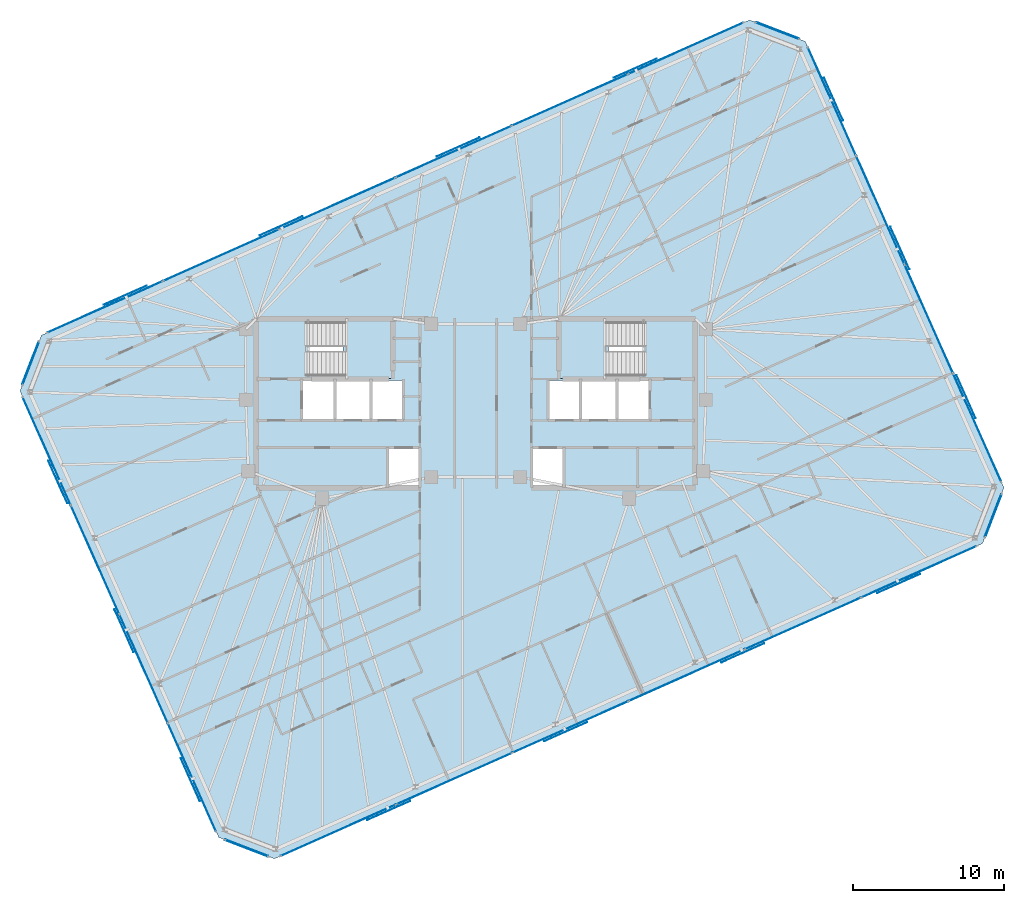
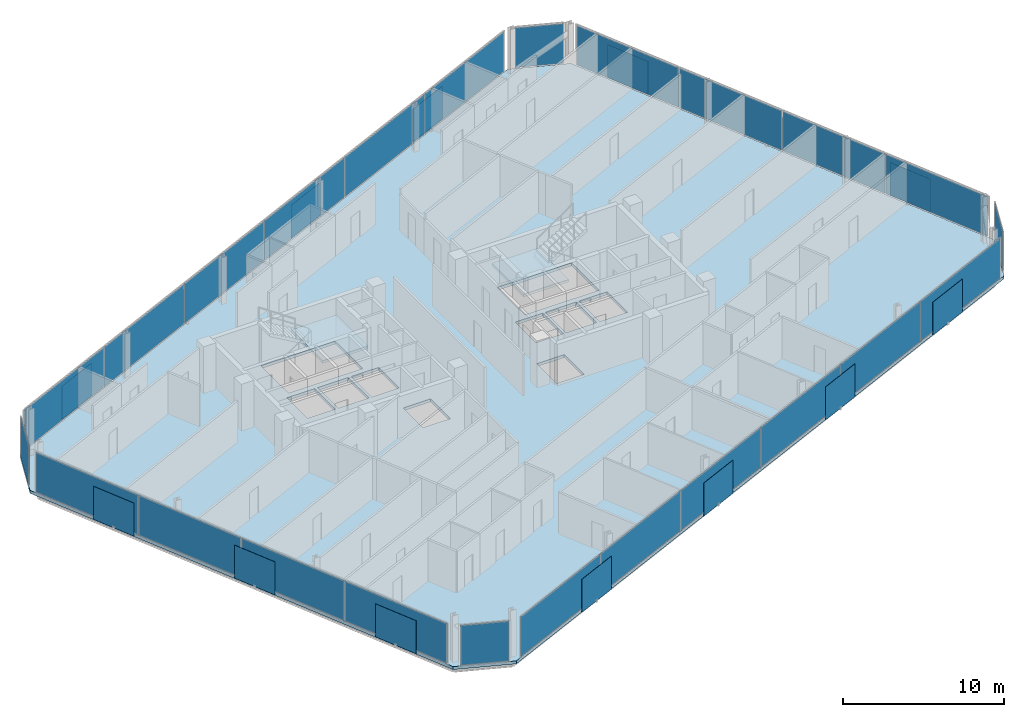
# One storey, part 12 of 19: 38 plates, 3 slabs, 10 elements without a shape of their own.
"""IFC4 building model written with IfcOpenShell, lengths in metres."""

from ifc_helpers import new_model, si_unit, direction, frame, origin, origin_2d, place, context, subcontext, project, spatial, polyline, rectangle, outline, extrude, material, layer, layer_set, type_object, element, aggregate, save


model = new_model("IFC4")

# Units and contexts
model_context = context("Model", 3, precision=1e-05, world=origin(), true_north=direction((0.0, 1.0)))
body_context = subcontext(model_context, "Body", "Model", "MODEL_VIEW")
ifc_project = project(units=[si_unit("LENGTHUNIT", "METRE"), si_unit("AREAUNIT", "SQUARE_METRE"), si_unit("VOLUMEUNIT", "CUBIC_METRE"), si_unit("PLANEANGLEUNIT", "RADIAN"), si_unit("MASSUNIT", "GRAM", prefix="KILO")], contexts=[model_context])

# Site, building, storey
site_placement = place(None, origin())
site = spatial("IfcSite", under=ifc_project, at=site_placement, CompositionType="ELEMENT")
building_placement = place(site_placement, origin())
building = spatial("IfcBuilding", under=site, at=building_placement, Name="Menara Jurai Vektor", CompositionType="ELEMENT")
storey_placement = place(building_placement, frame((0.0, 0.0, 302.0)))
storey = spatial("IfcBuildingStorey", under=building, at=storey_placement, Name="L81", CompositionType="ELEMENT", Elevation=302.0)

# Curtain wall, plates
ifc_material_1 = material(Name="Anodised Pale Aluminium & Low-E Double Glazing", Category="aluminium")
curtain_wall_type = type_object("IfcCurtainWallType", Name="CW-BLK5", PredefinedType="NOTDEFINED", material=ifc_material_1)
curtain_wall_1_placement = place(storey_placement, origin())
curtain_wall_1 = element("IfcCurtainWall", 1, at=curtain_wall_1_placement, inside=storey, type_object=curtain_wall_type, Name="Unitised Curtain Wall L81 F01", PredefinedType="NOTDEFINED")
ifc_material_2 = material(Name="Low-E Solar-Control Double Glazed Unit", Category="glass")
ifc_layer_1 = layer(ifc_material_2, 0.028076171875)
ifc_layer_set_1 = layer_set([ifc_layer_1], Name="Low-E Solar-Control Double Glazed Unit")
plate_type_1 = type_object("IfcPlateType", Name="CW-BLK5-PNL", PredefinedType="CURTAIN_PANEL", material=ifc_layer_set_1)
plate_1_placement = place(storey_placement, frame((-9.130615234375, -28.331787109375, 0.074951171875), z_axis=(0.0, 0.0, 1.0), x_axis=(0.913545967158, 0.406735498684, 0.0)))
plate_1 = element("IfcPlate", 2, at=plate_1_placement, type_object=plate_type_1, Name="CW-05 panel 1.1", PredefinedType="CURTAIN_PANEL", context=body_context, shape_type="SweptSolid", body=[
    extrude(rectangle(XDim=8.327392578125, YDim=0.028076171875, at=origin_2d()), origin(), (0.0, 0.0, 1.0), 2.9951171875),
])
plate_2_placement = place(storey_placement, frame((-1.4375, -24.90673828125, 0.074951171875), z_axis=(0.0, 0.0, 1.0), x_axis=(0.913545967158, 0.406735498684, 0.0)))
plate_2 = element("IfcPlate", 3, at=plate_2_placement, type_object=plate_type_1, Name="CW-05 panel 2.1", PredefinedType="CURTAIN_PANEL", context=body_context, shape_type="SweptSolid", body=[
    extrude(rectangle(XDim=8.364990234375, YDim=0.028076171875, at=origin_2d()), origin(), (0.0, 0.0, 1.0), 2.9951171875),
])
plate_3_placement = place(storey_placement, frame((6.27294921875, -21.473876953125, 0.074951171875), z_axis=(0.0, 0.0, 1.0), x_axis=(0.913545967158, 0.406735498684, 0.0)))
plate_3 = element("IfcPlate", 4, at=plate_3_placement, type_object=plate_type_1, Name="CW-05 panel 3.1", PredefinedType="CURTAIN_PANEL", context=body_context, shape_type="SweptSolid", body=[
    extrude(rectangle(XDim=8.364990234375, YDim=0.028076171875, at=origin_2d()), origin(), (0.0, 0.0, 1.0), 2.9951171875),
])
plate_4_placement = place(storey_placement, frame((13.983154296875, -18.041015625, 0.074951171875), z_axis=(0.0, 0.0, 1.0), x_axis=(0.913545967158, 0.406735498684, 0.0)))
plate_4 = element("IfcPlate", 5, at=plate_4_placement, type_object=plate_type_1, Name="CW-05 panel 4.1", PredefinedType="CURTAIN_PANEL", context=body_context, shape_type="SweptSolid", body=[
    extrude(rectangle(XDim=8.364990234375, YDim=0.028076171875, at=origin_2d()), origin(), (0.0, 0.0, 1.0), 2.9951171875),
])
plate_5_placement = place(storey_placement, frame((21.693603515625, -14.608154296875, 0.074951171875), z_axis=(0.0, 0.0, 1.0), x_axis=(0.913545967158, 0.406735498684, 0.0)))
plate_5 = element("IfcPlate", 6, at=plate_5_placement, type_object=plate_type_1, Name="CW-05 panel 5.1", PredefinedType="CURTAIN_PANEL", context=body_context, shape_type="SweptSolid", body=[
    extrude(rectangle(XDim=8.364990234375, YDim=0.028076171875, at=origin_2d()), origin(), (0.0, 0.0, 1.0), 2.9951171875),
])
plate_6_placement = place(storey_placement, frame((29.38671875, -11.182861328125, 0.074951171875), z_axis=(0.0, 0.0, 1.0), x_axis=(0.913545967158, 0.406735498684, 0.0)))
plate_6 = element("IfcPlate", 7, at=plate_6_placement, type_object=plate_type_1, Name="CW-05 panel 6.1", PredefinedType="CURTAIN_PANEL", context=body_context, shape_type="SweptSolid", body=[
    extrude(rectangle(XDim=8.327392578125, YDim=0.028076171875, at=origin_2d()), origin(), (0.0, 0.0, 1.0), 2.9951171875),
])
aggregate(curtain_wall_1, [plate_1, plate_2, plate_3, plate_4, plate_5, plate_6])

curtain_wall_2_placement = place(storey_placement, origin())
curtain_wall_2 = element("IfcCurtainWall", 8, at=curtain_wall_2_placement, inside=storey, type_object=curtain_wall_type, Name="Unitised Curtain Wall L81 F03", PredefinedType="NOTDEFINED")
plate_7_placement = place(storey_placement, frame((33.25439453125, -1.630126953125, 0.074951171875), z_axis=(0.0, 0.0, 1.0), x_axis=(-0.406735138086, 0.913546127706, 0.0)))
plate_7 = element("IfcPlate", 9, at=plate_7_placement, type_object=plate_type_1, Name="CW-05 panel 1.1", PredefinedType="CURTAIN_PANEL", context=body_context, shape_type="SweptSolid", body=[
    extrude(rectangle(XDim=7.797607421875, YDim=0.028076171875, at=origin_2d()), origin(), (0.0, 0.0, 1.0), 2.9951171875),
])
plate_8_placement = place(storey_placement, frame((30.044677734375, 5.578857421875, 0.074951171875), z_axis=(0.0, 0.0, 1.0), x_axis=(-0.406735138086, 0.913546127706, 0.0)))
plate_8 = element("IfcPlate", 10, at=plate_8_placement, type_object=plate_type_1, Name="CW-05 panel 2.1", PredefinedType="CURTAIN_PANEL", context=body_context, shape_type="SweptSolid", body=[
    extrude(rectangle(XDim=7.8349609375, YDim=0.028076171875, at=origin_2d()), origin(), (0.0, 0.0, 1.0), 2.9951171875),
])
plate_9_placement = place(storey_placement, frame((26.827392578125, 12.80517578125, 0.074951171875), z_axis=(0.0, 0.0, 1.0), x_axis=(-0.406735138086, 0.913546127706, 0.0)))
plate_9 = element("IfcPlate", 11, at=plate_9_placement, type_object=plate_type_1, Name="CW-05 panel 3.1", PredefinedType="CURTAIN_PANEL", context=body_context, shape_type="SweptSolid", body=[
    extrude(rectangle(XDim=7.8349609375, YDim=0.028076171875, at=origin_2d()), origin(), (0.0, 0.0, 1.0), 2.9951171875),
])
plate_10_placement = place(storey_placement, frame((23.61767578125, 20.01416015625, 0.074951171875), z_axis=(0.0, 0.0, 1.0), x_axis=(-0.406735138086, 0.913546127706, 0.0)))
plate_10 = element("IfcPlate", 12, at=plate_10_placement, type_object=plate_type_1, Name="CW-05 panel 4.1", PredefinedType="CURTAIN_PANEL", context=body_context, shape_type="SweptSolid", body=[
    extrude(rectangle(XDim=7.797607421875, YDim=0.028076171875, at=origin_2d()), origin(), (0.0, 0.0, 1.0), 2.9951171875),
])
aggregate(curtain_wall_2, [plate_7, plate_8, plate_9, plate_10])

curtain_wall_3_placement = place(storey_placement, origin())
curtain_wall_3 = element("IfcCurtainWall", 13, at=curtain_wall_3_placement, inside=storey, type_object=curtain_wall_type, Name="Unitised Curtain Wall L81 F05", PredefinedType="NOTDEFINED")
plate_11_placement = place(storey_placement, frame((13.9306640625, 23.53173828125, 0.074951171875), z_axis=(0.0, 0.0, 1.0), x_axis=(-0.913545967158, -0.406735498684, 0.0)))
plate_11 = element("IfcPlate", 14, at=plate_11_placement, type_object=plate_type_1, Name="CW-05 panel 1.1", PredefinedType="CURTAIN_PANEL", context=body_context, shape_type="SweptSolid", body=[
    extrude(rectangle(XDim=8.327392578125, YDim=0.028076171875, at=origin_2d()), origin(), (0.0, 0.0, 1.0), 2.9951171875),
])
plate_12_placement = place(storey_placement, frame((6.237548828125, 20.106689453125, 0.074951171875), z_axis=(0.0, 0.0, 1.0), x_axis=(-0.913545967158, -0.406735498684, 0.0)))
plate_12 = element("IfcPlate", 15, at=plate_12_placement, type_object=plate_type_1, Name="CW-05 panel 2.1", PredefinedType="CURTAIN_PANEL", context=body_context, shape_type="SweptSolid", body=[
    extrude(rectangle(XDim=8.364990234375, YDim=0.028076171875, at=origin_2d()), origin(), (0.0, 0.0, 1.0), 2.9951171875),
])
plate_13_placement = place(storey_placement, frame((-1.472900390625, 16.673828125, 0.074951171875), z_axis=(0.0, 0.0, 1.0), x_axis=(-0.913545967158, -0.406735498684, 0.0)))
plate_13 = element("IfcPlate", 16, at=plate_13_placement, type_object=plate_type_1, Name="CW-05 panel 3.1", PredefinedType="CURTAIN_PANEL", context=body_context, shape_type="SweptSolid", body=[
    extrude(rectangle(XDim=8.364990234375, YDim=0.028076171875, at=origin_2d()), origin(), (0.0, 0.0, 1.0), 2.9951171875),
])
plate_14_placement = place(storey_placement, frame((-9.18310546875, 13.240966796875, 0.074951171875), z_axis=(0.0, 0.0, 1.0), x_axis=(-0.913545967158, -0.406735498684, 0.0)))
plate_14 = element("IfcPlate", 17, at=plate_14_placement, type_object=plate_type_1, Name="CW-05 panel 4.1", PredefinedType="CURTAIN_PANEL", context=body_context, shape_type="SweptSolid", body=[
    extrude(rectangle(XDim=8.364990234375, YDim=0.028076171875, at=origin_2d()), origin(), (0.0, 0.0, 1.0), 2.9951171875),
])
plate_15_placement = place(storey_placement, frame((-16.8935546875, 9.80810546875, 0.074951171875), z_axis=(0.0, 0.0, 1.0), x_axis=(-0.913545967158, -0.406735498684, 0.0)))
plate_15 = element("IfcPlate", 18, at=plate_15_placement, type_object=plate_type_1, Name="CW-05 panel 5.1", PredefinedType="CURTAIN_PANEL", context=body_context, shape_type="SweptSolid", body=[
    extrude(rectangle(XDim=8.364990234375, YDim=0.028076171875, at=origin_2d()), origin(), (0.0, 0.0, 1.0), 2.9951171875),
])
plate_16_placement = place(storey_placement, frame((-24.586669921875, 6.3828125, 0.074951171875), z_axis=(0.0, 0.0, 1.0), x_axis=(-0.913545967158, -0.406735498684, 0.0)))
plate_16 = element("IfcPlate", 19, at=plate_16_placement, type_object=plate_type_1, Name="CW-05 panel 6.1", PredefinedType="CURTAIN_PANEL", context=body_context, shape_type="SweptSolid", body=[
    extrude(rectangle(XDim=8.327392578125, YDim=0.028076171875, at=origin_2d()), origin(), (0.0, 0.0, 1.0), 2.9951171875),
])
aggregate(curtain_wall_3, [plate_11, plate_12, plate_13, plate_14, plate_15, plate_16])

curtain_wall_4_placement = place(storey_placement, origin())
curtain_wall_4 = element("IfcCurtainWall", 20, at=curtain_wall_4_placement, inside=storey, type_object=curtain_wall_type, Name="Unitised Curtain Wall L81 F07", PredefinedType="NOTDEFINED")
plate_17_placement = place(storey_placement, frame((-28.454345703125, -3.169921875, 0.074951171875), z_axis=(0.0, 0.0, 1.0), x_axis=(0.406735138086, -0.913546127706, 0.0)))
plate_17 = element("IfcPlate", 21, at=plate_17_placement, type_object=plate_type_1, Name="CW-05 panel 1.1", PredefinedType="CURTAIN_PANEL", context=body_context, shape_type="SweptSolid", body=[
    extrude(rectangle(XDim=7.797607421875, YDim=0.028076171875, at=origin_2d()), origin(), (0.0, 0.0, 1.0), 2.9951171875),
])
plate_18_placement = place(storey_placement, frame((-25.24462890625, -10.37890625, 0.074951171875), z_axis=(0.0, 0.0, 1.0), x_axis=(0.406735138086, -0.913546127706, 0.0)))
plate_18 = element("IfcPlate", 22, at=plate_18_placement, type_object=plate_type_1, Name="CW-05 panel 2.1", PredefinedType="CURTAIN_PANEL", context=body_context, shape_type="SweptSolid", body=[
    extrude(rectangle(XDim=7.8349609375, YDim=0.028076171875, at=origin_2d()), origin(), (0.0, 0.0, 1.0), 2.9951171875),
])
plate_19_placement = place(storey_placement, frame((-22.02734375, -17.60498046875, 0.074951171875), z_axis=(0.0, 0.0, 1.0), x_axis=(0.406735138086, -0.913546127706, 0.0)))
plate_19 = element("IfcPlate", 23, at=plate_19_placement, type_object=plate_type_1, Name="CW-05 panel 3.1", PredefinedType="CURTAIN_PANEL", context=body_context, shape_type="SweptSolid", body=[
    extrude(rectangle(XDim=7.8349609375, YDim=0.028076171875, at=origin_2d()), origin(), (0.0, 0.0, 1.0), 2.9951171875),
])
plate_20_placement = place(storey_placement, frame((-18.81787109375, -24.814208984375, 0.074951171875), z_axis=(0.0, 0.0, 1.0), x_axis=(0.406735138086, -0.913546127706, 0.0)))
plate_20 = element("IfcPlate", 24, at=plate_20_placement, type_object=plate_type_1, Name="CW-05 panel 4.1", PredefinedType="CURTAIN_PANEL", context=body_context, shape_type="SweptSolid", body=[
    extrude(rectangle(XDim=7.797607421875, YDim=0.028076171875, at=origin_2d()), origin(), (0.0, 0.0, 1.0), 2.9951171875),
])
aggregate(curtain_wall_4, [plate_17, plate_18, plate_19, plate_20])

# Curtain wall, plate
curtain_wall_5_placement = place(storey_placement, origin())
curtain_wall_5 = element("IfcCurtainWall", 25, at=curtain_wall_5_placement, inside=storey, type_object=curtain_wall_type, Name="Unitised Curtain Wall L81 F02", PredefinedType="NOTDEFINED")
ifc_material_3 = material(Name="Insulated Pale Aluminium Spandrel Panel", Category="aluminium")
ifc_layer_2 = layer(ifc_material_3, 0.06005859375)
ifc_layer_set_2 = layer_set([ifc_layer_2], Name="Insulated Pale Aluminium Spandrel Panel")
plate_type_2 = type_object("IfcPlateType", Name="CW-PNL-SP", PredefinedType="CURTAIN_PANEL", material=ifc_layer_set_2)
plate_21_placement = place(storey_placement, frame((34.315673828125, -7.455810546875, 0.074951171875), z_axis=(0.0, 0.0, 1.0), x_axis=(0.358373766287, 0.933578193639, 0.0)))
plate_21 = element("IfcPlate", 26, at=plate_21_placement, type_object=plate_type_2, Name="CW-05 panel 1.1", PredefinedType="CURTAIN_PANEL", context=body_context, shape_type="SweptSolid", body=[
    extrude(rectangle(XDim=3.0498046875, YDim=0.06005859375, at=origin_2d()), origin(), (0.0, 0.0, 1.0), 2.9951171875),
])
aggregate(curtain_wall_5, [plate_21])

curtain_wall_6_placement = place(storey_placement, origin())
curtain_wall_6 = element("IfcCurtainWall", 27, at=curtain_wall_6_placement, inside=storey, type_object=curtain_wall_type, Name="Unitised Curtain Wall L81 F04", PredefinedType="NOTDEFINED")
plate_22_placement = place(storey_placement, frame((19.99853515625, 24.700927734375, 0.074951171875), z_axis=(0.0, 0.0, 1.0), x_axis=(-0.933578193639, 0.358373766287, 0.0)))
plate_22 = element("IfcPlate", 28, at=plate_22_placement, type_object=plate_type_2, Name="CW-05 panel 1.1", PredefinedType="CURTAIN_PANEL", context=body_context, shape_type="SweptSolid", body=[
    extrude(rectangle(XDim=3.0498046875, YDim=0.06005859375, at=origin_2d()), origin(), (0.0, 0.0, 1.0), 2.9951171875),
])
aggregate(curtain_wall_6, [plate_22])

curtain_wall_7_placement = place(storey_placement, origin())
curtain_wall_7 = element("IfcCurtainWall", 29, at=curtain_wall_7_placement, inside=storey, type_object=curtain_wall_type, Name="Unitised Curtain Wall L81 F06", PredefinedType="NOTDEFINED")
plate_23_placement = place(storey_placement, frame((-29.515625, 2.65576171875, 0.074951171875), z_axis=(0.0, 0.0, 1.0), x_axis=(-0.358373766287, -0.933578193639, 0.0)))
plate_23 = element("IfcPlate", 30, at=plate_23_placement, type_object=plate_type_2, Name="CW-05 panel 1.1", PredefinedType="CURTAIN_PANEL", context=body_context, shape_type="SweptSolid", body=[
    extrude(rectangle(XDim=3.0498046875, YDim=0.06005859375, at=origin_2d()), origin(), (0.0, 0.0, 1.0), 2.9951171875),
])
aggregate(curtain_wall_7, [plate_23])

curtain_wall_8_placement = place(storey_placement, origin())
curtain_wall_8 = element("IfcCurtainWall", 31, at=curtain_wall_8_placement, inside=storey, type_object=curtain_wall_type, Name="Unitised Curtain Wall L81 F08", PredefinedType="NOTDEFINED")
plate_24_placement = place(storey_placement, frame((-15.198486328125, -29.5009765625, 0.074951171875), z_axis=(0.0, 0.0, 1.0), x_axis=(0.933578193639, -0.358373766287, 0.0)))
plate_24 = element("IfcPlate", 32, at=plate_24_placement, type_object=plate_type_2, Name="CW-05 panel 1.1", PredefinedType="CURTAIN_PANEL", context=body_context, shape_type="SweptSolid", body=[
    extrude(rectangle(XDim=3.0498046875, YDim=0.06005859375, at=origin_2d()), origin(), (0.0, 0.0, 1.0), 2.9951171875),
])
aggregate(curtain_wall_8, [plate_24])

# Plates
ifc_material_4 = material(Name="Anodised Pale Aluminium Perforated Screen", Category="aluminium")
ifc_layer_3 = layer(ifc_material_4, 0.02197265625)
ifc_layer_set_3 = layer_set([ifc_layer_3], Name="Anodised Pale Aluminium Perforated Screen")
plate_type_3 = type_object("IfcPlateType", Name="ENV-PLT-SCREEN-HI", PredefinedType="USERDEFINED", material=ifc_layer_set_3)
for number, where, z_axis, x_axis, name in (
    (33, (-5.77197265625, -27.01171875, -0.050048828125), (0.0, 0.0, 1.0), (0.913545457643, 0.406736643076, 0.0), "Perforated Pale-Metal Solar Screen L81-S01"),
    (34, (5.967041015625, -21.78515625, -0.050048828125), (0.0, 0.0, 1.0), (0.913545457643, 0.406736643076, 0.0), "Perforated Pale-Metal Solar Screen L81-S02"),
    (35, (17.7060546875, -16.55859375, -0.050048828125), (0.0, 0.0, 1.0), (0.913545457643, 0.406736643076, 0.0), "Perforated Pale-Metal Solar Screen L81-S03"),
    (36, (28.036376953125, -11.958984375, -0.050048828125), (0.0, 0.0, 1.0), (0.913545457643, 0.406736643076, 0.0), "Perforated Pale-Metal Solar Screen L81-S04"),
    (37, (32.513671875, 0.4267578125, -0.050048828125), (0.0, 0.0, 1.0), (-0.406736643076, 0.913545457643, 0.0), "Perforated Pale-Metal Solar Screen L81-S05"),
    (38, (28.12109375, 10.29296875, -0.050048828125), (0.0, 0.0, 1.0), (-0.406736643076, 0.913545457643, 0.0), "Perforated Pale-Metal Solar Screen L81-S06"),
    (39, (23.728271484375, 20.1591796875, -0.050048828125), (0.0, 0.0, 1.0), (-0.406736643076, 0.913545457643, 0.0), "Perforated Pale-Metal Solar Screen L81-S07"),
    (40, (10.572021484375, 22.211669921875, -0.050048828125), (0.0, 0.0, 1.0), (-0.913545457643, -0.406736643076, 0.0), "Perforated Pale-Metal Solar Screen L81-S08"),
    (41, (-1.1669921875, 16.985107421875, -0.050048828125), (0.0, 0.0, 1.0), (-0.913545457643, -0.406736643076, 0.0), "Perforated Pale-Metal Solar Screen L81-S09"),
    (42, (-12.906005859375, 11.758544921875, -0.050048828125), (0.0, 0.0, 1.0), (-0.913545457643, -0.406736643076, 0.0), "Perforated Pale-Metal Solar Screen L81-S10"),
    (43, (-23.236328125, 7.1591796875, -0.050048828125), (0.0, 0.0, 1.0), (-0.913545457643, -0.406736643076, 0.0), "Perforated Pale-Metal Solar Screen L81-S11"),
    (44, (-27.713623046875, -5.226806640625, -0.050048828125), (0.0, 0.0, 1.0), (0.406736643076, -0.913545457643, 0.0), "Perforated Pale-Metal Solar Screen L81-S12"),
    (45, (-23.321044921875, -15.093017578125, -0.050048828125), (0.0, 0.0, 1.0), (0.406736643076, -0.913545457643, 0.0), "Perforated Pale-Metal Solar Screen L81-S13"),
    (46, (-18.92822265625, -24.959228515625, -0.050048828125), (0.0, 0.0, 1.0), (0.406736643076, -0.913545457643, 0.0), "Perforated Pale-Metal Solar Screen L81-S14"),
):
    element("IfcPlate", number, at=place(storey_placement, frame(where, z_axis=z_axis, x_axis=x_axis)), inside=storey, type_object=plate_type_3, Name=name, ObjectType="SCREEN", PredefinedType="USERDEFINED", context=body_context, shape_type="SweptSolid", body=[
        extrude(rectangle(XDim=3.10009765625, YDim=0.02197265625, at=origin_2d()), origin(), (0.0, 0.0, 1.0), 2.5),
    ])

# Stair, slab
ifc_material_5 = material(Name="Concrete C40/50", Category="concrete")
stair_type = type_object("IfcStairType", Name="STAIR-DOGLEG-1500", PredefinedType="HALF_TURN_STAIR", material=ifc_material_5)
stair_1_placement = place(storey_placement, origin())
stair_1 = element("IfcStair", 47, at=stair_1_placement, inside=storey, type_object=stair_type, Name="Protected Exit Stair ST1 L81", PredefinedType="HALF_TURN_STAIR")
ifc_layer_4 = layer(ifc_material_5, 0.199951171875)
ifc_layer_set_4 = layer_set([ifc_layer_4], Name="Concrete C40/50")
slab_type_1 = type_object("IfcSlabType", Name="STAIR-LANDING-200", PredefinedType="LANDING", material=ifc_layer_set_4)
slab_1_placement = place(storey_placement, frame((0.0, 0.0, 1.574951171875)))
slab_1 = element("IfcSlab", 48, at=slab_1_placement, type_object=slab_type_1, Name="ST1 landing 1", PredefinedType="LANDING", context=body_context, shape_type="SweptSolid", body=[
    extrude(outline(polyline([(-8.800048828125, 1.64990234375), (-5.550048828125, 1.64990234375), (-5.550048828125, 5.550048828125), (-8.800048828125, 5.550048828125), (-8.800048828125, 1.64990234375)])), origin(), (0.0, 0.0, 1.0), 0.199951171875),
])
aggregate(stair_1, [slab_1])

stair_2_placement = place(storey_placement, origin())
stair_2 = element("IfcStair", 49, at=stair_2_placement, inside=storey, type_object=stair_type, Name="Protected Exit Stair ST2 L81", PredefinedType="HALF_TURN_STAIR")
slab_2_placement = place(storey_placement, frame((0.0, 0.0, 1.574951171875)))
slab_2 = element("IfcSlab", 50, at=slab_2_placement, type_object=slab_type_1, Name="ST2 landing 1", PredefinedType="LANDING", context=body_context, shape_type="SweptSolid", body=[
    extrude(outline(polyline([(5.550048828125, 1.64990234375), (8.800048828125, 1.64990234375), (8.800048828125, 5.550048828125), (5.550048828125, 5.550048828125), (5.550048828125, 1.64990234375)])), origin(), (0.0, 0.0, 1.0), 0.199951171875),
])
aggregate(stair_2, [slab_2])

# Slab
ifc_layer_5 = layer(ifc_material_5, 0.22509765625)
ifc_layer_set_5 = layer_set([ifc_layer_5], Name="Concrete C40/50")
slab_type_2 = type_object("IfcSlabType", Name="STR-SLAB-TYP200", PredefinedType="FLOOR", material=ifc_layer_set_5)
slab_3_placement = place(storey_placement, frame((0.0, 0.0, -0.22509765625)))
element("IfcSlab", 51, at=slab_3_placement, inside=storey, type_object=slab_type_2, Name="Composite Floor Slab L81", PredefinedType="FLOOR", context=body_context, shape_type="SweptSolid", body=[
    extrude(outline(polyline([(-13.35009765625, -30.21044921875), (33.606201171875, -9.30419921875), (35.025146484375, -5.607421875), (21.846923828125, 23.991455078125), (18.150146484375, 25.410400390625), (-28.80615234375, 4.504150390625), (-30.22509765625, 0.807373046875), (-17.046875, -28.79150390625), (-13.35009765625, -30.21044921875)]), holes=[polyline([(-11.10009765625, 1.89990234375), (-11.10009765625, 5.300048828125), (-5.800048828125, 5.300048828125), (-5.800048828125, 1.89990234375), (-11.10009765625, 1.89990234375)]), polyline([(5.800048828125, 1.89990234375), (5.800048828125, 5.300048828125), (11.10009765625, 5.300048828125), (11.10009765625, 1.89990234375), (5.800048828125, 1.89990234375)]), polyline([(-11.449951171875, -1.050048828125), (-11.449951171875, 1.5), (-9.449951171875, 1.5), (-9.449951171875, -1.050048828125), (-11.449951171875, -1.050048828125)]), polyline([(9.449951171875, -1.050048828125), (9.449951171875, 1.5), (11.449951171875, 1.5), (11.449951171875, -1.050048828125), (9.449951171875, -1.050048828125)]), polyline([(-5.760009765625, -5.5), (-5.760009765625, -3.050048828125), (-3.800048828125, -3.050048828125), (-3.800048828125, -5.5), (-5.760009765625, -5.5)]), polyline([(-6.85009765625, -1.050048828125), (-6.85009765625, 1.5), (-4.889892578125, 1.5), (-4.889892578125, -1.050048828125), (-6.85009765625, -1.050048828125)]), polyline([(3.800048828125, -5.5), (3.800048828125, -3.050048828125), (5.760009765625, -3.050048828125), (5.760009765625, -5.5), (3.800048828125, -5.5)]), polyline([(4.889892578125, -1.050048828125), (4.889892578125, 1.5), (6.85009765625, 1.5), (6.85009765625, -1.050048828125), (4.889892578125, -1.050048828125)]), polyline([(-9.25, -1.050048828125), (-9.25, 1.5), (-7.050048828125, 1.5), (-7.050048828125, -1.050048828125), (-9.25, -1.050048828125)]), polyline([(7.050048828125, -1.050048828125), (7.050048828125, 1.5), (9.25, 1.5), (9.25, -1.050048828125), (7.050048828125, -1.050048828125)])]), origin(), (0.0, 0.0, 1.0), 0.22509765625),
])

save(model, "model.ifc")
